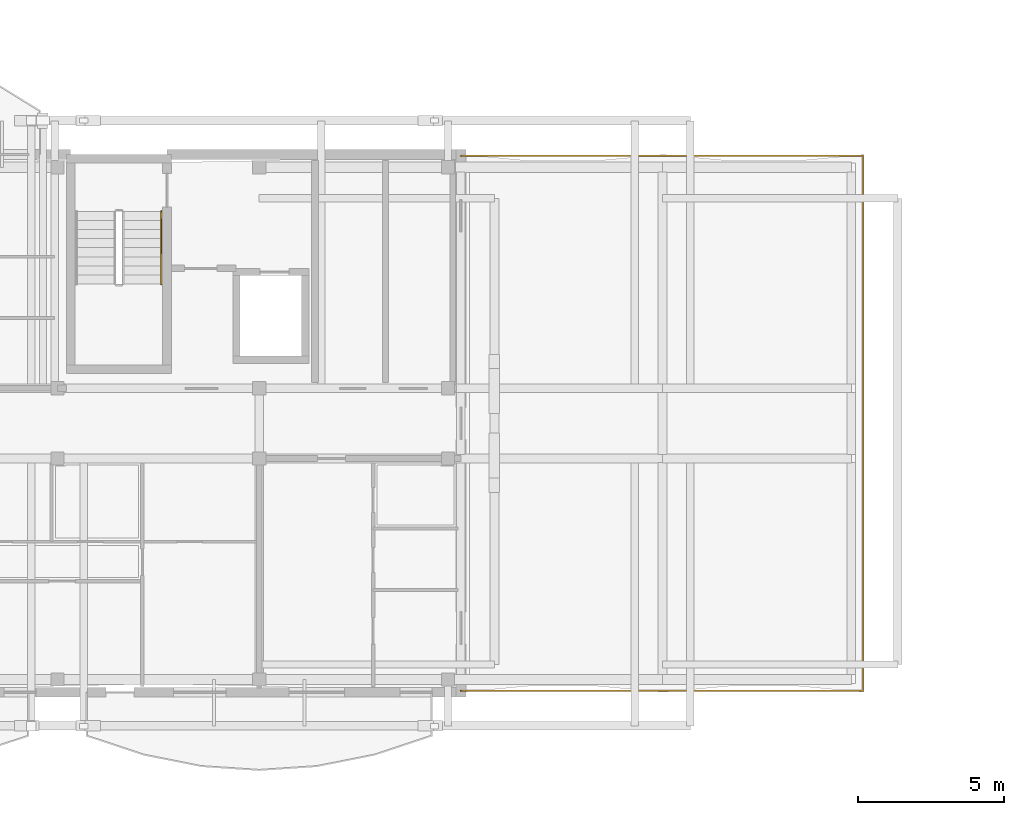
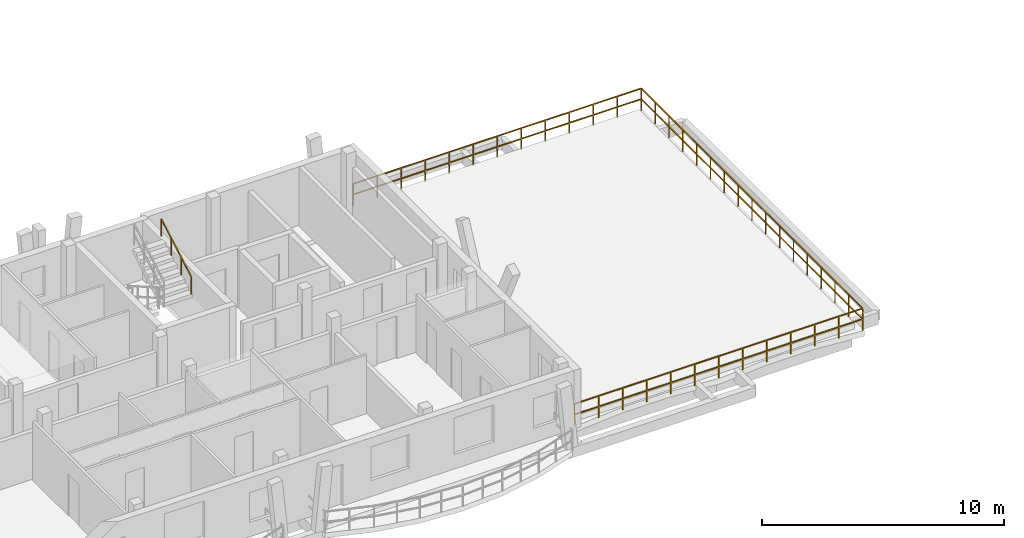
# One storey, part 28 of 33: 2 railings.
"""IFC4 building model written with IfcOpenShell, lengths in metres."""

from ifc_helpers import new_model, si_unit, direction, frame, origin, origin_2d, place, context, subcontext, project, spatial, rectangle, extrude, material, type_object, element, save


model = new_model("IFC4")

# Units and contexts
model_context = context("Model", 3, precision=1e-05, world=origin(), true_north=direction((0.0, 1.0)))
body_context = subcontext(model_context, "Body", "Model", "MODEL_VIEW")
ifc_project = project(units=[si_unit("LENGTHUNIT", "METRE"), si_unit("AREAUNIT", "SQUARE_METRE"), si_unit("VOLUMEUNIT", "CUBIC_METRE"), si_unit("PLANEANGLEUNIT", "RADIAN"), si_unit("MASSUNIT", "GRAM", prefix="KILO")], contexts=[model_context])

# Site, building, storey
site_placement = place(None, origin())
site = spatial("IfcSite", under=ifc_project, at=site_placement, CompositionType="ELEMENT")
building_placement = place(site_placement, origin())
building = spatial("IfcBuilding", under=site, at=building_placement, Name="Zavelmont Quarter", CompositionType="ELEMENT")
storey_placement = place(building_placement, frame((0.0, 0.0, 30.39990234375)))
storey = spatial("IfcBuildingStorey", under=building, at=storey_placement, Name="L09", CompositionType="ELEMENT", Elevation=30.39990234375)

# Railings
ifc_material_1 = material(Name="Brushed stainless-steel wall handrail", Category="steel")
railing_type_1 = type_object("IfcRailingType", Name="RL-HND1", PredefinedType="HANDRAIL", material=ifc_material_1)
railing_1_placement = place(storey_placement, frame((31.14990234375, 13.969970703125, 1.77783203125)))
element("IfcRailing", 1, at=railing_1_placement, inside=storey, type_object=railing_type_1, Name="L09 ST02 stair handrail 2", PredefinedType="HANDRAIL", context=body_context, shape_type="SweptSolid", body=[
    extrude(rectangle(XDim=0.048095703125, YDim=0.048095703125, at=origin_2d()), frame((0.0, 0.0, 0.8759765625), z_axis=(0.0, 0.867453774394, 0.497517787913), x_axis=(-1.0, 0.0, 0.0)), (0.0, 0.0, 1.0), 2.85888671875),
    extrude(rectangle(XDim=0.0419921875, YDim=0.0419921875, at=origin_2d()), origin(), (0.0, 0.0, 1.0), 0.851806640625),
    extrude(rectangle(XDim=0.0419921875, YDim=0.0419921875, at=origin_2d()), frame((0.0, 0.82666015625, 0.47412109375)), (0.0, 0.0, 1.0), 0.851806640625),
    extrude(rectangle(XDim=0.0419921875, YDim=0.0419921875, at=origin_2d()), frame((0.0, 1.6533203125, 0.9482421875)), (0.0, 0.0, 1.0), 0.851806640625),
    extrude(rectangle(XDim=0.0419921875, YDim=0.0419921875, at=origin_2d()), frame((0.0, 2.47998046875, 1.42236328125)), (0.0, 0.0, 1.0), 0.851806640625),
])
ifc_material_2 = material(Name="Powder-coated steel and tempered double safety glass", Category="steel")
railing_type_2 = type_object("IfcRailingType", Name="RL-TER1", PredefinedType="BALUSTRADE", material=ifc_material_2)
railing_2_placement = place(storey_placement, frame((41.39990234375, 0.050048828125, 0.0)))
element("IfcRailing", 2, at=railing_2_placement, inside=storey, type_object=railing_type_2, Name="L09 Block A setback terrace guard RL-TER1", PredefinedType="BALUSTRADE", context=body_context, shape_type="SweptSolid", body=[
    extrude(rectangle(XDim=0.048095703125, YDim=0.048095703125, at=origin_2d()), frame((0.0, 0.0, 1.09619140625), z_axis=(1.0, 0.0, 0.0), x_axis=(0.0, 1.0, 0.0)), (0.0, 0.0, 1.0), 13.75),
    extrude(rectangle(XDim=0.048095703125, YDim=0.048095703125, at=origin_2d()), frame((0.0, 0.0, 0.56005859375), z_axis=(1.0, 0.0, 0.0), x_axis=(0.0, 1.0, 0.0)), (0.0, 0.0, 1.0), 13.75),
    extrude(rectangle(XDim=0.048095703125, YDim=0.048095703125, at=origin_2d()), frame((13.75, 0.0, 1.09619140625), z_axis=(0.0, 1.0, 0.0), x_axis=(-1.0, 0.0, 0.0)), (0.0, 0.0, 1.0), 18.300048828125),
    extrude(rectangle(XDim=0.048095703125, YDim=0.048095703125, at=origin_2d()), frame((13.75, 0.0, 0.56005859375), z_axis=(0.0, 1.0, 0.0), x_axis=(-1.0, 0.0, 0.0)), (0.0, 0.0, 1.0), 18.300048828125),
    extrude(rectangle(XDim=0.048095703125, YDim=0.048095703125, at=origin_2d()), frame((13.75, 18.300048828125, 1.09619140625), z_axis=(-1.0, 0.0, 0.0), x_axis=(0.0, -1.0, 0.0)), (0.0, 0.0, 1.0), 13.75),
    extrude(rectangle(XDim=0.048095703125, YDim=0.048095703125, at=origin_2d()), frame((13.75, 18.300048828125, 0.56005859375), z_axis=(-1.0, 0.0, 0.0), x_axis=(0.0, -1.0, 0.0)), (0.0, 0.0, 1.0), 13.75),
    extrude(rectangle(XDim=0.0419921875, YDim=0.0419921875, at=origin_2d()), origin(), (0.0, 0.0, 1.0), 1.072021484375),
    extrude(rectangle(XDim=0.0419921875, YDim=0.0419921875, at=origin_2d()), frame((1.145751953125, 0.0, 0.0)), (0.0, 0.0, 1.0), 1.072021484375),
    extrude(rectangle(XDim=0.0419921875, YDim=0.0419921875, at=origin_2d()), frame((2.291748046875, 0.0, 0.0)), (0.0, 0.0, 1.0), 1.072021484375),
    extrude(rectangle(XDim=0.0419921875, YDim=0.0419921875, at=origin_2d()), frame((3.4375, 0.0, 0.0)), (0.0, 0.0, 1.0), 1.072021484375),
    extrude(rectangle(XDim=0.0419921875, YDim=0.0419921875, at=origin_2d()), frame((4.583251953125, 0.0, 0.0)), (0.0, 0.0, 1.0), 1.072021484375),
    extrude(rectangle(XDim=0.0419921875, YDim=0.0419921875, at=origin_2d()), frame((5.729248046875, 0.0, 0.0)), (0.0, 0.0, 1.0), 1.072021484375),
    extrude(rectangle(XDim=0.0419921875, YDim=0.0419921875, at=origin_2d()), frame((6.875, 0.0, 0.0)), (0.0, 0.0, 1.0), 1.072021484375),
    extrude(rectangle(XDim=0.0419921875, YDim=0.0419921875, at=origin_2d()), frame((8.020751953125, 0.0, 0.0)), (0.0, 0.0, 1.0), 1.072021484375),
    extrude(rectangle(XDim=0.0419921875, YDim=0.0419921875, at=origin_2d()), frame((9.166748046875, 0.0, 0.0)), (0.0, 0.0, 1.0), 1.072021484375),
    extrude(rectangle(XDim=0.0419921875, YDim=0.0419921875, at=origin_2d()), frame((10.3125, 0.0, 0.0)), (0.0, 0.0, 1.0), 1.072021484375),
    extrude(rectangle(XDim=0.0419921875, YDim=0.0419921875, at=origin_2d()), frame((11.458251953125, 0.0, 0.0)), (0.0, 0.0, 1.0), 1.072021484375),
    extrude(rectangle(XDim=0.0419921875, YDim=0.0419921875, at=origin_2d()), frame((12.604248046875, 0.0, 0.0)), (0.0, 0.0, 1.0), 1.072021484375),
    extrude(rectangle(XDim=0.0419921875, YDim=0.0419921875, at=origin_2d()), frame((13.75, 0.0, 0.0)), (0.0, 0.0, 1.0), 1.072021484375),
    extrude(rectangle(XDim=0.0419921875, YDim=0.0419921875, at=origin_2d()), frame((13.75, 1.143798828125, 0.0)), (0.0, 0.0, 1.0), 1.072021484375),
    extrude(rectangle(XDim=0.0419921875, YDim=0.0419921875, at=origin_2d()), frame((13.75, 2.28759765625, 0.0)), (0.0, 0.0, 1.0), 1.072021484375),
    extrude(rectangle(XDim=0.0419921875, YDim=0.0419921875, at=origin_2d()), frame((13.75, 3.43115234375, 0.0)), (0.0, 0.0, 1.0), 1.072021484375),
    extrude(rectangle(XDim=0.0419921875, YDim=0.0419921875, at=origin_2d()), frame((13.75, 4.574951171875, 0.0)), (0.0, 0.0, 1.0), 1.072021484375),
    extrude(rectangle(XDim=0.0419921875, YDim=0.0419921875, at=origin_2d()), frame((13.75, 5.71875, 0.0)), (0.0, 0.0, 1.0), 1.072021484375),
    extrude(rectangle(XDim=0.0419921875, YDim=0.0419921875, at=origin_2d()), frame((13.75, 6.862548828125, 0.0)), (0.0, 0.0, 1.0), 1.072021484375),
    extrude(rectangle(XDim=0.0419921875, YDim=0.0419921875, at=origin_2d()), frame((13.75, 8.00634765625, 0.0)), (0.0, 0.0, 1.0), 1.072021484375),
    extrude(rectangle(XDim=0.0419921875, YDim=0.0419921875, at=origin_2d()), frame((13.75, 9.14990234375, 0.0)), (0.0, 0.0, 1.0), 1.072021484375),
    extrude(rectangle(XDim=0.0419921875, YDim=0.0419921875, at=origin_2d()), frame((13.75, 10.293701171875, 0.0)), (0.0, 0.0, 1.0), 1.072021484375),
    extrude(rectangle(XDim=0.0419921875, YDim=0.0419921875, at=origin_2d()), frame((13.75, 11.4375, 0.0)), (0.0, 0.0, 1.0), 1.072021484375),
    extrude(rectangle(XDim=0.0419921875, YDim=0.0419921875, at=origin_2d()), frame((13.75, 12.581298828125, 0.0)), (0.0, 0.0, 1.0), 1.072021484375),
    extrude(rectangle(XDim=0.0419921875, YDim=0.0419921875, at=origin_2d()), frame((13.75, 13.72509765625, 0.0)), (0.0, 0.0, 1.0), 1.072021484375),
    extrude(rectangle(XDim=0.0419921875, YDim=0.0419921875, at=origin_2d()), frame((13.75, 14.868896484375, 0.0)), (0.0, 0.0, 1.0), 1.072021484375),
    extrude(rectangle(XDim=0.0419921875, YDim=0.0419921875, at=origin_2d()), frame((13.75, 16.012451171875, 0.0)), (0.0, 0.0, 1.0), 1.072021484375),
    extrude(rectangle(XDim=0.0419921875, YDim=0.0419921875, at=origin_2d()), frame((13.75, 17.15625, 0.0)), (0.0, 0.0, 1.0), 1.072021484375),
    extrude(rectangle(XDim=0.0419921875, YDim=0.0419921875, at=origin_2d()), frame((13.75, 18.300048828125, 0.0)), (0.0, 0.0, 1.0), 1.072021484375),
    extrude(rectangle(XDim=0.0419921875, YDim=0.0419921875, at=origin_2d()), frame((12.604248046875, 18.300048828125, 0.0)), (0.0, 0.0, 1.0), 1.072021484375),
    extrude(rectangle(XDim=0.0419921875, YDim=0.0419921875, at=origin_2d()), frame((11.458251953125, 18.300048828125, 0.0)), (0.0, 0.0, 1.0), 1.072021484375),
    extrude(rectangle(XDim=0.0419921875, YDim=0.0419921875, at=origin_2d()), frame((10.3125, 18.300048828125, 0.0)), (0.0, 0.0, 1.0), 1.072021484375),
    extrude(rectangle(XDim=0.0419921875, YDim=0.0419921875, at=origin_2d()), frame((9.166748046875, 18.300048828125, 0.0)), (0.0, 0.0, 1.0), 1.072021484375),
    extrude(rectangle(XDim=0.0419921875, YDim=0.0419921875, at=origin_2d()), frame((8.020751953125, 18.300048828125, 0.0)), (0.0, 0.0, 1.0), 1.072021484375),
    extrude(rectangle(XDim=0.0419921875, YDim=0.0419921875, at=origin_2d()), frame((6.875, 18.300048828125, 0.0)), (0.0, 0.0, 1.0), 1.072021484375),
    extrude(rectangle(XDim=0.0419921875, YDim=0.0419921875, at=origin_2d()), frame((5.729248046875, 18.300048828125, 0.0)), (0.0, 0.0, 1.0), 1.072021484375),
    extrude(rectangle(XDim=0.0419921875, YDim=0.0419921875, at=origin_2d()), frame((4.583251953125, 18.300048828125, 0.0)), (0.0, 0.0, 1.0), 1.072021484375),
    extrude(rectangle(XDim=0.0419921875, YDim=0.0419921875, at=origin_2d()), frame((3.4375, 18.300048828125, 0.0)), (0.0, 0.0, 1.0), 1.072021484375),
    extrude(rectangle(XDim=0.0419921875, YDim=0.0419921875, at=origin_2d()), frame((2.291748046875, 18.300048828125, 0.0)), (0.0, 0.0, 1.0), 1.072021484375),
    extrude(rectangle(XDim=0.0419921875, YDim=0.0419921875, at=origin_2d()), frame((1.145751953125, 18.300048828125, 0.0)), (0.0, 0.0, 1.0), 1.072021484375),
    extrude(rectangle(XDim=0.0419921875, YDim=0.0419921875, at=origin_2d()), frame((0.0, 18.300048828125, 0.0)), (0.0, 0.0, 1.0), 1.072021484375),
])

save(model, "model.ifc")
